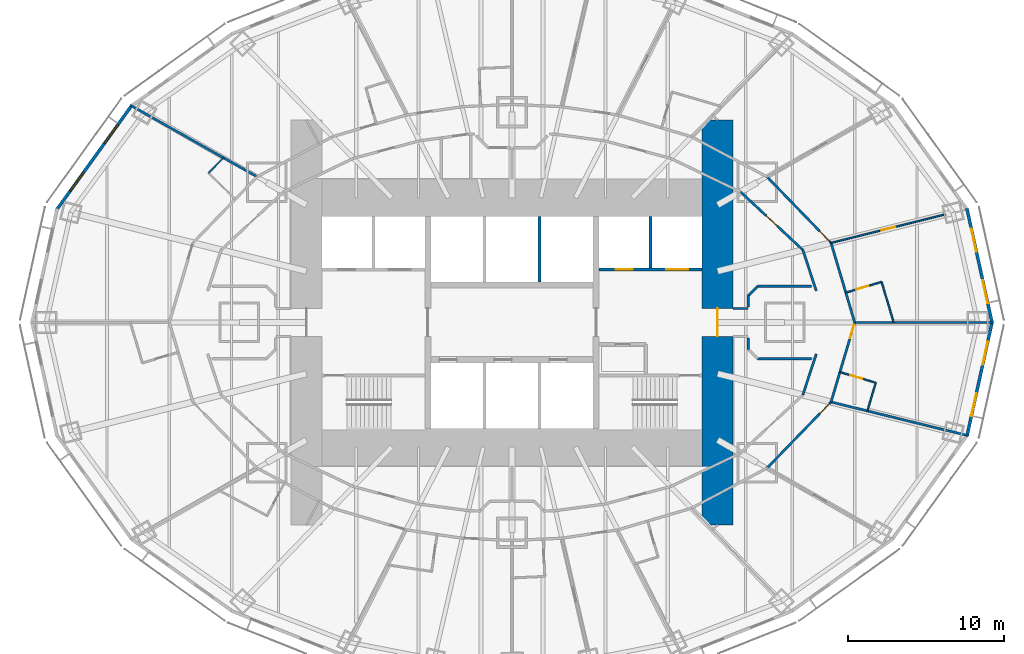
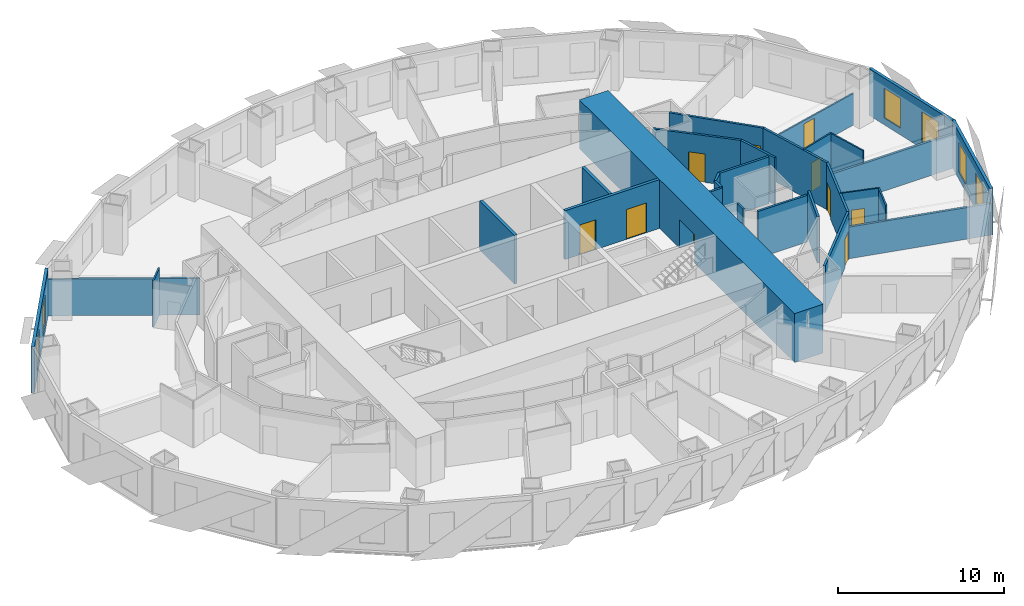
# One storey, part 8 of 15: 29 walls, 10 doors, 6 windows, 16 openings.
"""IFC4 building model written with IfcOpenShell, lengths in metres."""

from ifc_helpers import new_model, si_unit, direction, frame, frame_2d, origin, place, context, subcontext, project, spatial, rectangle, extrude, material, layer, layer_set, type_object, element, fill, save


model = new_model("IFC4")

# Units and contexts
model_context = context("Model", 3, precision=1e-05, world=origin(), true_north=direction((0.0, 1.0)))
body_context = subcontext(model_context, "Body", "Model", "MODEL_VIEW")
ifc_project = project(units=[si_unit("LENGTHUNIT", "METRE"), si_unit("AREAUNIT", "SQUARE_METRE"), si_unit("VOLUMEUNIT", "CUBIC_METRE"), si_unit("PLANEANGLEUNIT", "RADIAN"), si_unit("MASSUNIT", "GRAM", prefix="KILO")], contexts=[model_context])

# Site, building, storey
site_placement = place(None, origin())
site = spatial("IfcSite", under=ifc_project, at=site_placement, CompositionType="ELEMENT")
building_placement = place(site_placement, origin())
building = spatial("IfcBuilding", under=site, at=building_placement, Name="Lantaw Convention Tower", CompositionType="ELEMENT")
storey_placement = place(building_placement, frame((0.0, 0.0, 80.199951171875)))
storey = spatial("IfcBuildingStorey", under=building, at=storey_placement, Name="L18", CompositionType="ELEMENT", Elevation=80.199951171875)

# Wall, opening, door
ifc_material_1 = material(Name="Moisture resistant gypsum board on steel studs", Category="steel")
ifc_layer_1 = layer(ifc_material_1, 0.10009765625)
ifc_layer_set_1 = layer_set([ifc_layer_1], Name="Bathroom wall 100")
wall_type_1 = type_object("IfcWallType", Name="Bathroom wall 100", PredefinedType="PARTITIONING", material=ifc_layer_set_1)
wall_1_placement = place(storey_placement, frame((21.430908203125, 1.917236328125, 0.0), z_axis=(0.0, 0.0, 1.0), x_axis=(0.958639927723, 0.284621659356, 0.0)))
wall_1 = element("IfcWall", 1, at=wall_1_placement, inside=storey, type_object=wall_type_1, Name="Bathroom wall 100", PredefinedType="PARTITIONING", context=body_context, shape_type="SweptSolid", body=[
    extrude(rectangle(XDim=2.400146484375, YDim=0.10009765625, at=frame_2d((1.2001953125, 0.0))), origin(), (0.0, 0.0, 1.0), 3.449951171875),
])
opening_1_placement = place(wall_1_placement, frame((0.699951171875, 0.0, 0.0)))
opening_1 = element("IfcOpeningElement", 2, at=opening_1_placement, cuts=wall_1, Name="Opening L18.25", PredefinedType="OPENING", context=body_context, shape_type="SweptSolid", body=[
    extrude(rectangle(XDim=0.800048828125, YDim=2.10009765625, at=frame_2d((0.39990234375, 1.050048828125))), frame((0.0, 0.06005859375, 0.0), z_axis=(0.0, -1.0, 0.0), x_axis=(1.0, 0.0, 0.0)), (0.0, 0.0, 1.0), 0.1201171875),
])
ifc_material_2 = material(Name="Timber", Category="wood")
door_type_1 = type_object("IfcDoorType", Name="Bathroom door 800", OperationType="SINGLE_SWING_LEFT", PredefinedType="DOOR", material=ifc_material_2)
door_1_placement = place(opening_1_placement, origin())
door_1 = element("IfcDoor", 3, at=door_1_placement, inside=storey, type_object=door_type_1, Name="Bathroom door", OperationType="SINGLE_SWING_LEFT", OverallHeight=2.10009765625, OverallWidth=0.800048828125, PredefinedType="DOOR", context=body_context, shape_type="SweptSolid", body=[
    extrude(rectangle(XDim=0.800048828125, YDim=2.10009765625, at=frame_2d((0.39990234375, 1.050048828125))), frame((0.0, 0.02490234375, 0.0), z_axis=(0.0, -1.0, 0.0), x_axis=(1.0, 0.0, 0.0)), (0.0, 0.0, 1.0), 0.050048828125),
])
fill(opening_1, door_1)

# Walls
wall_2_placement = place(storey_placement, frame((23.731689453125, 2.600341796875, 0.0), z_axis=(0.0, 0.0, 1.0), x_axis=(0.284514277473, -0.958671803025, 0.0)))
element("IfcWall", 4, at=wall_2_placement, inside=storey, type_object=wall_type_1, Name="Bathroom wall 100", PredefinedType="PARTITIONING", context=body_context, shape_type="SweptSolid", body=[
    extrude(rectangle(XDim=2.71240234375, YDim=0.10009765625, at=frame_2d((1.356201171875, 0.0))), origin(), (0.0, 0.0, 1.0), 3.449951171875),
])
wall_3_placement = place(storey_placement, frame((-19.484375, 9.587646484375, 0.0), z_axis=(0.0, 0.0, 1.0), x_axis=(0.695920174922, 0.718119147591, 0.0)))
element("IfcWall", 5, at=wall_3_placement, inside=storey, type_object=wall_type_1, Name="Bathroom wall 100", PredefinedType="PARTITIONING", context=body_context, shape_type="SweptSolid", body=[
    extrude(rectangle(XDim=1.3857421875, YDim=0.10009765625, at=frame_2d((0.69287109375, 0.0))), origin(), (0.0, 0.0, 1.0), 3.449951171875),
])

# Wall, opening, door
wall_4_placement = place(storey_placement, frame((21.052978515625, -3.18994140625, 0.0), z_axis=(0.0, 0.0, 1.0), x_axis=(0.958667679126, -0.284528172593, 0.0)))
wall_4 = element("IfcWall", 6, at=wall_4_placement, inside=storey, type_object=wall_type_1, Name="Bathroom wall 100", PredefinedType="PARTITIONING", context=body_context, shape_type="SweptSolid", body=[
    extrude(rectangle(XDim=2.39990234375, YDim=0.10009765625, at=frame_2d((1.199951171875, 0.0))), origin(), (0.0, 0.0, 1.0), 3.449951171875),
])
opening_2_placement = place(wall_4_placement, frame((0.699951171875, 0.0, 0.0)))
opening_2 = element("IfcOpeningElement", 7, at=opening_2_placement, cuts=wall_4, Name="Opening L18.52", PredefinedType="OPENING", context=body_context, shape_type="SweptSolid", body=[
    extrude(rectangle(XDim=0.800048828125, YDim=2.10009765625, at=frame_2d((0.39990234375, 1.050048828125))), frame((0.0, 0.06005859375, 0.0), z_axis=(0.0, -1.0, 0.0), x_axis=(1.0, 0.0, 0.0)), (0.0, 0.0, 1.0), 0.1201171875),
])
door_2_placement = place(opening_2_placement, origin())
door_2 = element("IfcDoor", 8, at=door_2_placement, inside=storey, type_object=door_type_1, Name="Bathroom door", OperationType="SINGLE_SWING_LEFT", OverallHeight=2.10009765625, OverallWidth=0.800048828125, PredefinedType="DOOR", context=body_context, shape_type="SweptSolid", body=[
    extrude(rectangle(XDim=0.800048828125, YDim=2.10009765625, at=frame_2d((0.39990234375, 1.050048828125))), frame((0.0, 0.02490234375, 0.0), z_axis=(0.0, -1.0, 0.0), x_axis=(1.0, 0.0, 0.0)), (0.0, 0.0, 1.0), 0.050048828125),
])
fill(opening_2, door_2)

# Wall
wall_5_placement = place(storey_placement, frame((23.353759765625, -3.872802734375, 0.0), z_axis=(0.0, 0.0, 1.0), x_axis=(-0.284496480535, -0.958677084613, 0.0)))
element("IfcWall", 9, at=wall_5_placement, inside=storey, type_object=wall_type_1, Name="Bathroom wall 100", PredefinedType="PARTITIONING", context=body_context, shape_type="SweptSolid", body=[
    extrude(rectangle(XDim=1.89404296875, YDim=0.10009765625, at=frame_2d((0.947021484375, 0.0))), origin(), (0.0, 0.0, 1.0), 3.449951171875),
])

# Wall, opening, door
ifc_material_3 = material(Name="Concrete C60/75", Category="concrete")
ifc_layer_2 = layer(ifc_material_3, 2.0)
ifc_layer_set_2 = layer_set([ifc_layer_2], Name="Core wall 2000")
wall_type_2 = type_object("IfcWallType", Name="Core wall 2000", PredefinedType="SHEAR", material=ifc_layer_set_2)
wall_6_placement = place(storey_placement, frame((13.199951171875, -13.0, 0.0), z_axis=(0.0, 0.0, 1.0), x_axis=(0.0, 1.0, 0.0)))
wall_6 = element("IfcWall", 10, at=wall_6_placement, inside=storey, type_object=wall_type_2, Name="Core wall E", PredefinedType="SHEAR", context=body_context, shape_type="SweptSolid", body=[
    extrude(rectangle(XDim=26.0, YDim=2.0, at=frame_2d((13.0, 0.0))), origin(), (0.0, 0.0, 1.0), 3.60009765625),
])
opening_3_placement = place(wall_6_placement, frame((12.10009765625, 0.0, 0.0)))
opening_3 = element("IfcOpeningElement", 11, at=opening_3_placement, cuts=wall_6, Name="Opening L18.06", PredefinedType="OPENING", context=body_context, shape_type="SweptSolid", body=[
    extrude(rectangle(XDim=1.800048828125, YDim=2.10009765625, at=frame_2d((0.89990234375, 1.050048828125))), frame((0.0, 1.010009765625, 0.0), z_axis=(0.0, -1.0, 0.0), x_axis=(1.0, 0.0, 0.0)), (0.0, 0.0, 1.0), 2.02001953125),
])
ifc_material_4 = material(Name="Steel, fire rated", Category="steel")
door_type_2 = type_object("IfcDoorType", Name="Lobby double door FD90", OperationType="DOUBLE_DOOR_DOUBLE_SWING", PredefinedType="DOOR", material=ifc_material_4)
door_3_placement = place(opening_3_placement, origin())
door_3 = element("IfcDoor", 12, at=door_3_placement, inside=storey, type_object=door_type_2, Name="Firefighting lobby door", OperationType="DOUBLE_DOOR_DOUBLE_SWING", OverallHeight=2.10009765625, OverallWidth=1.800048828125, PredefinedType="DOOR", context=body_context, shape_type="SweptSolid", body=[
    extrude(rectangle(XDim=1.800048828125, YDim=2.10009765625, at=frame_2d((0.89990234375, 1.050048828125))), frame((0.0, 0.02490234375, 0.0), z_axis=(0.0, -1.0, 0.0), x_axis=(1.0, 0.0, 0.0)), (0.0, 0.0, 1.0), 0.050048828125),
])
fill(opening_3, door_3)

# Wall
ifc_material_5 = material(Name="Gypsum board on steel studs, fire rated", Category="steel")
ifc_layer_3 = layer(ifc_material_5, 0.14990234375)
ifc_layer_set_3 = layer_set([ifc_layer_3], Name="Corridor wall 150 EI 60")
wall_type_3 = type_object("IfcWallType", Name="Corridor wall 150 EI 60", PredefinedType="PARTITIONING", material=ifc_layer_set_3)
wall_7_placement = place(storey_placement, frame((22.0, 0.0, 0.0), z_axis=(0.0, 0.0, 1.0), x_axis=(-0.284584469409, 0.95865096869, 0.0)))
element("IfcWall", 13, at=wall_7_placement, inside=storey, type_object=wall_type_3, Name="Corridor wall 150", PredefinedType="PARTITIONING", context=body_context, shape_type="SweptSolid", body=[
    extrude(rectangle(XDim=5.327392578125, YDim=0.14990234375, at=frame_2d((2.66357421875, 0.0))), origin(), (0.0, 0.0, 1.0), 3.449951171875),
])

# Wall, opening, door
wall_8_placement = place(storey_placement, frame((20.48388671875, 5.107177734375, 0.0), z_axis=(0.0, 0.0, 1.0), x_axis=(-0.695871090686, 0.71816671125, 0.0)))
wall_8 = element("IfcWall", 14, at=wall_8_placement, inside=storey, type_object=wall_type_3, Name="Corridor wall 150", PredefinedType="PARTITIONING", context=body_context, shape_type="SweptSolid", body=[
    extrude(rectangle(XDim=5.9130859375, YDim=0.14990234375, at=frame_2d((2.95654296875, 0.0))), origin(), (0.0, 0.0, 1.0), 3.449951171875),
])
opening_4_placement = place(wall_8_placement, frame((0.14990234375, 0.0, 0.0)))
opening_4 = element("IfcOpeningElement", 15, at=opening_4_placement, cuts=wall_8, Name="Opening L18.28", PredefinedType="OPENING", context=body_context, shape_type="SweptSolid", body=[
    extrude(rectangle(XDim=0.89990234375, YDim=2.10009765625, at=frame_2d((0.449951171875, 1.050048828125))), frame((0.0, 0.0849609375, 0.0), z_axis=(0.0, -1.0, 0.0), x_axis=(1.0, 0.0, 0.0)), (0.0, 0.0, 1.0), 0.169921875),
])
door_type_3 = type_object("IfcDoorType", Name="Guest room entrance door FD30S", OperationType="SINGLE_SWING_LEFT", PredefinedType="DOOR", material=ifc_material_4)
door_4_placement = place(opening_4_placement, origin())
door_4 = element("IfcDoor", 16, at=door_4_placement, inside=storey, type_object=door_type_3, Name="Suite entrance door", OperationType="SINGLE_SWING_LEFT", OverallHeight=2.10009765625, OverallWidth=0.89990234375, PredefinedType="DOOR", context=body_context, shape_type="SweptSolid", body=[
    extrude(rectangle(XDim=0.89990234375, YDim=2.10009765625, at=frame_2d((0.449951171875, 1.050048828125))), frame((0.0, 0.02490234375, 0.0), z_axis=(0.0, -1.0, 0.0), x_axis=(1.0, 0.0, 0.0)), (0.0, 0.0, 1.0), 0.050048828125),
])
fill(opening_4, door_4)

wall_9_placement = place(storey_placement, frame((16.369140625, -9.353759765625, 0.0), z_axis=(0.0, 0.0, 1.0), x_axis=(0.695871090686, 0.71816671125, 0.0)))
wall_9 = element("IfcWall", 17, at=wall_9_placement, inside=storey, type_object=wall_type_3, Name="Corridor wall 150", PredefinedType="PARTITIONING", context=body_context, shape_type="SweptSolid", body=[
    extrude(rectangle(XDim=5.9130859375, YDim=0.14990234375, at=frame_2d((2.95654296875, 0.0))), origin(), (0.0, 0.0, 1.0), 3.449951171875),
])
opening_5_placement = place(wall_9_placement, frame((4.863037109375, 0.0, 0.0)))
opening_5 = element("IfcOpeningElement", 18, at=opening_5_placement, cuts=wall_9, Name="Opening L18.51", PredefinedType="OPENING", context=body_context, shape_type="SweptSolid", body=[
    extrude(rectangle(XDim=0.89990234375, YDim=2.10009765625, at=frame_2d((0.449951171875, 1.050048828125))), frame((0.0, 0.0849609375, 0.0), z_axis=(0.0, -1.0, 0.0), x_axis=(1.0, 0.0, 0.0)), (0.0, 0.0, 1.0), 0.169921875),
])
door_5_placement = place(opening_5_placement, origin())
door_5 = element("IfcDoor", 19, at=door_5_placement, inside=storey, type_object=door_type_3, Name="Suite entrance door", OperationType="SINGLE_SWING_LEFT", OverallHeight=2.10009765625, OverallWidth=0.89990234375, PredefinedType="DOOR", context=body_context, shape_type="SweptSolid", body=[
    extrude(rectangle(XDim=0.89990234375, YDim=2.10009765625, at=frame_2d((0.449951171875, 1.050048828125))), frame((0.0, 0.02490234375, 0.0), z_axis=(0.0, -1.0, 0.0), x_axis=(1.0, 0.0, 0.0)), (0.0, 0.0, 1.0), 0.050048828125),
])
fill(opening_5, door_5)

wall_10_placement = place(storey_placement, frame((20.48388671875, -5.107177734375, 0.0), z_axis=(0.0, 0.0, 1.0), x_axis=(0.284584469409, 0.95865096869, 0.0)))
wall_10 = element("IfcWall", 20, at=wall_10_placement, inside=storey, type_object=wall_type_3, Name="Corridor wall 150", PredefinedType="PARTITIONING", context=body_context, shape_type="SweptSolid", body=[
    extrude(rectangle(XDim=5.327392578125, YDim=0.14990234375, at=frame_2d((2.66357421875, 0.0))), origin(), (0.0, 0.0, 1.0), 3.449951171875),
])
opening_6_placement = place(wall_10_placement, frame((4.277587890625, 0.0, 0.0)))
opening_6 = element("IfcOpeningElement", 21, at=opening_6_placement, cuts=wall_10, Name="Opening L18.53", PredefinedType="OPENING", context=body_context, shape_type="SweptSolid", body=[
    extrude(rectangle(XDim=0.89990234375, YDim=2.10009765625, at=frame_2d((0.449951171875, 1.050048828125))), frame((0.0, 0.0849609375, 0.0), z_axis=(0.0, -1.0, 0.0), x_axis=(1.0, 0.0, 0.0)), (0.0, 0.0, 1.0), 0.169921875),
])
door_6_placement = place(opening_6_placement, origin())
door_6 = element("IfcDoor", 22, at=door_6_placement, inside=storey, type_object=door_type_3, Name="Guest room entrance door", OperationType="SINGLE_SWING_LEFT", OverallHeight=2.10009765625, OverallWidth=0.89990234375, PredefinedType="DOOR", context=body_context, shape_type="SweptSolid", body=[
    extrude(rectangle(XDim=0.89990234375, YDim=2.10009765625, at=frame_2d((0.449951171875, 1.050048828125))), frame((0.0, 0.02490234375, 0.0), z_axis=(0.0, -1.0, 0.0), x_axis=(1.0, 0.0, 0.0)), (0.0, 0.0, 1.0), 0.050048828125),
])
fill(opening_6, door_6)

wall_11_placement = place(storey_placement, frame((18.671630859375, 4.6552734375, 0.0), z_axis=(0.0, 0.0, 1.0), x_axis=(-0.731260145007, 0.682098673452, 0.0)))
wall_11 = element("IfcWall", 23, at=wall_11_placement, inside=storey, type_object=wall_type_3, Name="Corridor wall 150", PredefinedType="PARTITIONING", context=body_context, shape_type="SweptSolid", body=[
    extrude(rectangle(XDim=5.4677734375, YDim=0.14990234375, at=frame_2d((2.73388671875, 0.0))), origin(), (0.0, 0.0, 1.0), 3.449951171875),
])
opening_7_placement = place(wall_11_placement, frame((2.23388671875, 0.0, 0.0)))
opening_7 = element("IfcOpeningElement", 24, at=opening_7_placement, cuts=wall_11, Name="Opening L18.15", PredefinedType="OPENING", context=body_context, shape_type="SweptSolid", body=[
    extrude(rectangle(XDim=1.0, YDim=2.10009765625, at=frame_2d((0.5, 1.050048828125))), frame((0.0, 0.0849609375, 0.0), z_axis=(0.0, -1.0, 0.0), x_axis=(1.0, 0.0, 0.0)), (0.0, 0.0, 1.0), 0.169921875),
])
door_type_4 = type_object("IfcDoorType", Name="Service door 1000 FD30", OperationType="SINGLE_SWING_LEFT", PredefinedType="DOOR", material=ifc_material_4)
door_7_placement = place(opening_7_placement, origin())
door_7 = element("IfcDoor", 25, at=door_7_placement, inside=storey, type_object=door_type_4, Name="Linen store door", OperationType="SINGLE_SWING_LEFT", OverallHeight=2.10009765625, OverallWidth=1.0, PredefinedType="DOOR", context=body_context, shape_type="SweptSolid", body=[
    extrude(rectangle(XDim=1.0, YDim=2.10009765625, at=frame_2d((0.5, 1.050048828125))), frame((0.0, 0.02490234375, 0.0), z_axis=(0.0, -1.0, 0.0), x_axis=(1.0, 0.0, 0.0)), (0.0, 0.0, 1.0), 0.050048828125),
])
fill(opening_7, door_7)

# Walls
for number, where, z_axis, x_axis, name in (
    (26, (19.533447265625, 2.0302734375, 0.0), (0.0, 0.0, 1.0), (-0.311929965981, 0.950105097515, 0.0), "Corridor wall 150"),
    (27, (18.671630859375, -4.6552734375, 0.0), (0.0, 0.0, 1.0), (0.311929965981, 0.950105097515, 0.0), "Corridor wall 150"),
):
    element("IfcWall", number, at=place(storey_placement, frame(where, z_axis=z_axis, x_axis=x_axis)), inside=storey, type_object=wall_type_3, Name=name, PredefinedType="PARTITIONING", context=body_context, shape_type="SweptSolid", body=[
        extrude(rectangle(XDim=2.762939453125, YDim=0.14990234375, at=frame_2d((1.38134765625, 0.0))), origin(), (0.0, 0.0, 1.0), 3.449951171875),
    ])
wall_12_placement = place(storey_placement, frame((14.199951171875, 0.89990234375, 0.0), z_axis=(0.0, 0.0, 1.0), x_axis=(1.0, 0.0, 0.0)))
element("IfcWall", 28, at=wall_12_placement, inside=storey, type_object=wall_type_3, Name="Corridor wall 150", PredefinedType="PARTITIONING", context=body_context, shape_type="SweptSolid", body=[
    extrude(rectangle(XDim=0.965087890625, YDim=0.14990234375, at=frame_2d((0.482421875, 0.0))), origin(), (0.0, 0.0, 1.0), 3.449951171875),
])
wall_13_placement = place(storey_placement, frame((15.175048828125, 1.003173828125, 0.0), z_axis=(0.0, 0.0, 1.0), x_axis=(0.0, 1.0, 0.0)))
element("IfcWall", 29, at=wall_13_placement, inside=storey, type_object=wall_type_3, Name="Corridor wall 150", PredefinedType="PARTITIONING", context=body_context, shape_type="SweptSolid", body=[
    extrude(rectangle(XDim=0.721435546875, YDim=0.14990234375, at=frame_2d((0.36083984375, 0.0))), origin(), (0.0, 0.0, 1.0), 3.449951171875),
])
wall_14_placement = place(storey_placement, frame((15.175048828125, 1.724609375, 0.0), z_axis=(0.0, 0.0, 1.0), x_axis=(0.707106781187, 0.707106781187, 0.0)))
element("IfcWall", 30, at=wall_14_placement, inside=storey, type_object=wall_type_3, Name="Corridor wall 150", PredefinedType="PARTITIONING", context=body_context, shape_type="SweptSolid", body=[
    extrude(rectangle(XDim=0.84912109375, YDim=0.14990234375, at=frame_2d((0.424560546875, 0.0))), origin(), (0.0, 0.0, 1.0), 3.449951171875),
])
for number, where, z_axis, x_axis, name in (
    (31, (15.775390625, 2.324951171875, 0.0), (0.0, 0.0, 1.0), (1.0, 0.0, 0.0), "Corridor wall 150"),
    (32, (19.224609375, -2.324951171875, 0.0), (0.0, 0.0, 1.0), (-1.0, 0.0, 0.0), "Corridor wall 150"),
):
    element("IfcWall", number, at=place(storey_placement, frame(where, z_axis=z_axis, x_axis=x_axis)), inside=storey, type_object=wall_type_3, Name=name, PredefinedType="PARTITIONING", context=body_context, shape_type="SweptSolid", body=[
        extrude(rectangle(XDim=3.44921875, YDim=0.14990234375, at=frame_2d((1.724609375, 0.0))), origin(), (0.0, 0.0, 1.0), 3.449951171875),
    ])
wall_15_placement = place(storey_placement, frame((15.175048828125, -1.724609375, 0.0), z_axis=(0.0, 0.0, 1.0), x_axis=(0.0, 1.0, 0.0)))
element("IfcWall", 33, at=wall_15_placement, inside=storey, type_object=wall_type_3, Name="Corridor wall 150", PredefinedType="PARTITIONING", context=body_context, shape_type="SweptSolid", body=[
    extrude(rectangle(XDim=0.721435546875, YDim=0.14990234375, at=frame_2d((0.36083984375, 0.0))), origin(), (0.0, 0.0, 1.0), 3.449951171875),
])

# Wall, openings, windows
ifc_material_6 = material(Name="Insulated aluminium panel on steel frame", Category="steel")
ifc_layer_4 = layer(ifc_material_6, 0.199951171875)
ifc_layer_set_4 = layer_set([ifc_layer_4], Name="External wall 200")
wall_type_4 = type_object("IfcWallType", Name="External wall 200", PredefinedType="SOLIDWALL", material=ifc_layer_set_4)
wall_16_placement = place(storey_placement, frame((30.83544921875, -0.06689453125, 0.0), z_axis=(0.0, 0.0, 1.0), x_axis=(-0.215238065514, 0.976561608478, 0.0)))
wall_16 = element("IfcWall", 34, at=wall_16_placement, inside=storey, type_object=wall_type_4, Name="Facade panel wall", PredefinedType="SOLIDWALL", context=body_context, shape_type="SweptSolid", body=[
    extrude(rectangle(XDim=7.562255859375, YDim=0.199951171875, at=frame_2d((3.78125, 0.0))), origin(), (0.0, 0.0, 1.0), 3.449951171875),
])
opening_8_placement = place(wall_16_placement, frame((1.340576171875, 0.0, 0.5)))
opening_8 = element("IfcOpeningElement", 35, at=opening_8_placement, cuts=wall_16, Name="Opening W2", PredefinedType="OPENING", context=body_context, shape_type="SweptSolid", body=[
    extrude(rectangle(XDim=1.5, YDim=2.199951171875, at=frame_2d((0.75, 1.10009765625))), frame((0.0, 0.10986328125, 0.0), z_axis=(0.0, -1.0, 0.0), x_axis=(1.0, 0.0, 0.0)), (0.0, 0.0, 1.0), 0.219970703125),
])
opening_9_placement = place(wall_16_placement, frame((4.7216796875, 0.0, 0.5)))
opening_9 = element("IfcOpeningElement", 36, at=opening_9_placement, cuts=wall_16, Name="Opening W2", PredefinedType="OPENING", context=body_context, shape_type="SweptSolid", body=[
    extrude(rectangle(XDim=1.5, YDim=2.199951171875, at=frame_2d((0.75, 1.10009765625))), frame((0.0, 0.10986328125, 0.0), z_axis=(0.0, -1.0, 0.0), x_axis=(1.0, 0.0, 0.0)), (0.0, 0.0, 1.0), 0.219970703125),
])
ifc_material_7 = material(Name="Aluminium frame, clear insulating glass", Category="aluminium")
window_type = type_object("IfcWindowType", Name="Suite window 1500x2200", PartitioningType="SINGLE_PANEL", PredefinedType="WINDOW", material=ifc_material_7)
window_1_placement = place(opening_8_placement, origin())
window_1 = element("IfcWindow", 37, at=window_1_placement, inside=storey, type_object=window_type, Name="Guest room window", OverallHeight=2.199951171875, OverallWidth=1.5, PartitioningType="SINGLE_PANEL", PredefinedType="WINDOW", context=body_context, shape_type="SweptSolid", body=[
    extrude(rectangle(XDim=1.5, YDim=2.199951171875, at=frame_2d((0.75, 1.10009765625))), frame((0.0, 0.030029296875, 0.0), z_axis=(0.0, -1.0, 0.0), x_axis=(1.0, 0.0, 0.0)), (0.0, 0.0, 1.0), 0.06005859375),
])
fill(opening_8, window_1)
window_2_placement = place(opening_9_placement, origin())
window_2 = element("IfcWindow", 38, at=window_2_placement, inside=storey, type_object=window_type, Name="Guest room window", OverallHeight=2.199951171875, OverallWidth=1.5, PartitioningType="SINGLE_PANEL", PredefinedType="WINDOW", context=body_context, shape_type="SweptSolid", body=[
    extrude(rectangle(XDim=1.5, YDim=2.199951171875, at=frame_2d((0.75, 1.10009765625))), frame((0.0, 0.030029296875, 0.0), z_axis=(0.0, -1.0, 0.0), x_axis=(1.0, 0.0, 0.0)), (0.0, 0.0, 1.0), 0.06005859375),
])
fill(opening_9, window_2)

wall_17_placement = place(storey_placement, frame((-24.400390625, 13.95654296875, 0.0), z_axis=(0.0, 0.0, 1.0), x_axis=(-0.583937613703, -0.811798536155, 0.0)))
wall_17 = element("IfcWall", 39, at=wall_17_placement, inside=storey, type_object=wall_type_4, Name="Facade panel wall", PredefinedType="SOLIDWALL", context=body_context, shape_type="SweptSolid", body=[
    extrude(rectangle(XDim=8.322998046875, YDim=0.199951171875, at=frame_2d((4.16162109375, 0.0))), origin(), (0.0, 0.0, 1.0), 3.449951171875),
])
opening_10_placement = place(wall_17_placement, frame((1.53076171875, 0.0, 0.5)))
opening_10 = element("IfcOpeningElement", 40, at=opening_10_placement, cuts=wall_17, Name="Opening W2", PredefinedType="OPENING", context=body_context, shape_type="SweptSolid", body=[
    extrude(rectangle(XDim=1.5, YDim=2.199951171875, at=frame_2d((0.75, 1.10009765625))), frame((0.0, 0.10986328125, 0.0), z_axis=(0.0, -1.0, 0.0), x_axis=(1.0, 0.0, 0.0)), (0.0, 0.0, 1.0), 0.219970703125),
])
opening_11_placement = place(wall_17_placement, frame((5.292236328125, 0.0, 0.5)))
opening_11 = element("IfcOpeningElement", 41, at=opening_11_placement, cuts=wall_17, Name="Opening W2", PredefinedType="OPENING", context=body_context, shape_type="SweptSolid", body=[
    extrude(rectangle(XDim=1.5, YDim=2.199951171875, at=frame_2d((0.75, 1.10009765625))), frame((0.0, 0.10986328125, 0.0), z_axis=(0.0, -1.0, 0.0), x_axis=(1.0, 0.0, 0.0)), (0.0, 0.0, 1.0), 0.219970703125),
])
window_3_placement = place(opening_10_placement, origin())
window_3 = element("IfcWindow", 42, at=window_3_placement, inside=storey, type_object=window_type, Name="Guest room window", OverallHeight=2.199951171875, OverallWidth=1.5, PartitioningType="SINGLE_PANEL", PredefinedType="WINDOW", context=body_context, shape_type="SweptSolid", body=[
    extrude(rectangle(XDim=1.5, YDim=2.199951171875, at=frame_2d((0.75, 1.10009765625))), frame((0.0, 0.030029296875, 0.0), z_axis=(0.0, -1.0, 0.0), x_axis=(1.0, 0.0, 0.0)), (0.0, 0.0, 1.0), 0.06005859375),
])
fill(opening_10, window_3)
window_4_placement = place(opening_11_placement, origin())
window_4 = element("IfcWindow", 43, at=window_4_placement, inside=storey, type_object=window_type, Name="Guest room window", OverallHeight=2.199951171875, OverallWidth=1.5, PartitioningType="SINGLE_PANEL", PredefinedType="WINDOW", context=body_context, shape_type="SweptSolid", body=[
    extrude(rectangle(XDim=1.5, YDim=2.199951171875, at=frame_2d((0.75, 1.10009765625))), frame((0.0, 0.030029296875, 0.0), z_axis=(0.0, -1.0, 0.0), x_axis=(1.0, 0.0, 0.0)), (0.0, 0.0, 1.0), 0.06005859375),
])
fill(opening_11, window_4)

wall_18_placement = place(storey_placement, frame((29.207763671875, -7.318115234375, 0.0), z_axis=(0.0, 0.0, 1.0), x_axis=(0.215238065514, 0.976561608478, 0.0)))
wall_18 = element("IfcWall", 44, at=wall_18_placement, inside=storey, type_object=wall_type_4, Name="Facade panel wall", PredefinedType="SOLIDWALL", context=body_context, shape_type="SweptSolid", body=[
    extrude(rectangle(XDim=7.562255859375, YDim=0.199951171875, at=frame_2d((3.78125, 0.0))), origin(), (0.0, 0.0, 1.0), 3.449951171875),
])
opening_12_placement = place(wall_18_placement, frame((1.340576171875, 0.0, 0.5)))
opening_12 = element("IfcOpeningElement", 45, at=opening_12_placement, cuts=wall_18, Name="Opening W2", PredefinedType="OPENING", context=body_context, shape_type="SweptSolid", body=[
    extrude(rectangle(XDim=1.5, YDim=2.199951171875, at=frame_2d((0.75, 1.10009765625))), frame((0.0, 0.10986328125, 0.0), z_axis=(0.0, -1.0, 0.0), x_axis=(1.0, 0.0, 0.0)), (0.0, 0.0, 1.0), 0.219970703125),
])
opening_13_placement = place(wall_18_placement, frame((4.7216796875, 0.0, 0.5)))
opening_13 = element("IfcOpeningElement", 46, at=opening_13_placement, cuts=wall_18, Name="Opening W2", PredefinedType="OPENING", context=body_context, shape_type="SweptSolid", body=[
    extrude(rectangle(XDim=1.5, YDim=2.199951171875, at=frame_2d((0.75, 1.10009765625))), frame((0.0, 0.10986328125, 0.0), z_axis=(0.0, -1.0, 0.0), x_axis=(1.0, 0.0, 0.0)), (0.0, 0.0, 1.0), 0.219970703125),
])
window_5_placement = place(opening_12_placement, origin())
window_5 = element("IfcWindow", 47, at=window_5_placement, inside=storey, type_object=window_type, Name="Guest room window", OverallHeight=2.199951171875, OverallWidth=1.5, PartitioningType="SINGLE_PANEL", PredefinedType="WINDOW", context=body_context, shape_type="SweptSolid", body=[
    extrude(rectangle(XDim=1.5, YDim=2.199951171875, at=frame_2d((0.75, 1.10009765625))), frame((0.0, 0.030029296875, 0.0), z_axis=(0.0, -1.0, 0.0), x_axis=(1.0, 0.0, 0.0)), (0.0, 0.0, 1.0), 0.06005859375),
])
fill(opening_12, window_5)
window_6_placement = place(opening_13_placement, origin())
window_6 = element("IfcWindow", 48, at=window_6_placement, inside=storey, type_object=window_type, Name="Guest room window", OverallHeight=2.199951171875, OverallWidth=1.5, PartitioningType="SINGLE_PANEL", PredefinedType="WINDOW", context=body_context, shape_type="SweptSolid", body=[
    extrude(rectangle(XDim=1.5, YDim=2.199951171875, at=frame_2d((0.75, 1.10009765625))), frame((0.0, 0.030029296875, 0.0), z_axis=(0.0, -1.0, 0.0), x_axis=(1.0, 0.0, 0.0)), (0.0, 0.0, 1.0), 0.06005859375),
])
fill(opening_13, window_6)

# Walls
ifc_material_8 = material(Name="Gypsum board on steel studs, acoustic", Category="steel")
ifc_layer_5 = layer(ifc_material_8, 0.14990234375)
ifc_layer_set_5 = layer_set([ifc_layer_5], Name="Guest room party wall 150")
wall_type_5 = type_object("IfcWallType", Name="Guest room party wall 150", PredefinedType="PARTITIONING", material=ifc_layer_set_5)
wall_19_placement = place(storey_placement, frame((30.82080078125, 0.0, 0.0), z_axis=(0.0, 0.0, 1.0), x_axis=(-1.0, 0.0, 0.0)))
element("IfcWall", 49, at=wall_19_placement, inside=storey, type_object=wall_type_5, Name="Guest room party wall 150", PredefinedType="PARTITIONING", context=body_context, shape_type="SweptSolid", body=[
    extrude(rectangle(XDim=8.82080078125, YDim=0.14990234375, at=frame_2d((4.410400390625, 0.0))), origin(), (0.0, 0.0, 1.0), 2.528076171875),
])
wall_20_placement = place(storey_placement, frame((-24.434814453125, 13.90869140625, 0.0), z_axis=(0.0, 0.0, 1.0), x_axis=(0.870744406136, -0.491735883563, 0.0)))
element("IfcWall", 50, at=wall_20_placement, inside=storey, type_object=wall_type_5, Name="Guest room party wall 150", PredefinedType="PARTITIONING", context=body_context, shape_type="SweptSolid", body=[
    extrude(rectangle(XDim=9.262939453125, YDim=0.14990234375, at=frame_2d((4.63134765625, 0.0))), origin(), (0.0, 0.0, 1.0), 2.693115234375),
])
wall_21_placement = place(storey_placement, frame((29.221923828125, -7.253662109375, 0.0), z_axis=(0.0, 0.0, 1.0), x_axis=(-0.971128703136, 0.238556160989, 0.0)))
element("IfcWall", 51, at=wall_21_placement, inside=storey, type_object=wall_type_5, Name="Guest room party wall 150", PredefinedType="PARTITIONING", context=body_context, shape_type="SweptSolid", body=[
    extrude(rectangle(XDim=8.997802734375, YDim=0.14990234375, at=frame_2d((4.4990234375, 0.0))), origin(), (0.0, 0.0, 1.0), 2.33251953125),
])
ifc_material_9 = material(Name="Concrete blockwork, fire rated", Category="masonry")
ifc_layer_6 = layer(ifc_material_9, 0.199951171875)
ifc_layer_set_6 = layer_set([ifc_layer_6], Name="Shaft wall 200")
wall_type_6 = type_object("IfcWallType", Name="Shaft wall 200", PredefinedType="SOLIDWALL", material=ifc_layer_set_6)
wall_22_placement = place(storey_placement, frame((1.7666015625, 2.60009765625, 0.0), z_axis=(0.0, 0.0, 1.0), x_axis=(0.0, 1.0, 0.0)))
element("IfcWall", 52, at=wall_22_placement, inside=storey, type_object=wall_type_6, Name="Shaft wall DN2", PredefinedType="SOLIDWALL", context=body_context, shape_type="SweptSolid", body=[
    extrude(rectangle(XDim=4.199951171875, YDim=0.199951171875, at=frame_2d((2.10009765625, 0.0))), origin(), (0.0, 0.0, 1.0), 3.60009765625),
])

# Wall, openings, doors
wall_23_placement = place(storey_placement, frame((12.199951171875, 3.39990234375, 0.0), z_axis=(0.0, 0.0, 1.0), x_axis=(-1.0, 0.0, 0.0)))
wall_23 = element("IfcWall", 53, at=wall_23_placement, inside=storey, type_object=wall_type_6, Name="Shaft wall EN", PredefinedType="SOLIDWALL", context=body_context, shape_type="SweptSolid", body=[
    extrude(rectangle(XDim=6.599853515625, YDim=0.199951171875, at=frame_2d((3.2998046875, 0.0))), origin(), (0.0, 0.0, 1.0), 3.60009765625),
])
opening_14_placement = place(wall_23_placement, frame((4.449951171875, 0.0, 0.0)))
opening_14 = element("IfcOpeningElement", 54, at=opening_14_placement, cuts=wall_23, Name="Opening L18.13", PredefinedType="OPENING", context=body_context, shape_type="SweptSolid", body=[
    extrude(rectangle(XDim=1.10009765625, YDim=2.199951171875, at=frame_2d((0.550048828125, 1.10009765625))), frame((0.0, 0.10986328125, 0.0), z_axis=(0.0, -1.0, 0.0), x_axis=(1.0, 0.0, 0.0)), (0.0, 0.0, 1.0), 0.219970703125),
])
opening_15_placement = place(wall_23_placement, frame((0.89990234375, 0.0, 0.0)))
opening_15 = element("IfcOpeningElement", 55, at=opening_15_placement, cuts=wall_23, Name="Opening L18.14", PredefinedType="OPENING", context=body_context, shape_type="SweptSolid", body=[
    extrude(rectangle(XDim=1.39990234375, YDim=2.199951171875, at=frame_2d((0.699951171875, 1.10009765625))), frame((0.0, 0.10986328125, 0.0), z_axis=(0.0, -1.0, 0.0), x_axis=(1.0, 0.0, 0.0)), (0.0, 0.0, 1.0), 0.219970703125),
])
ifc_material_10 = material(Name="Stainless steel", Category="steel")
door_type_5 = type_object("IfcDoorType", Name="Lift landing door 1100", OperationType="DOUBLE_DOOR_SLIDING", PredefinedType="DOOR", material=ifc_material_10)
door_8_placement = place(opening_14_placement, origin())
door_8 = element("IfcDoor", 56, at=door_8_placement, inside=storey, type_object=door_type_5, Name="Lift landing door FF2", OperationType="DOUBLE_DOOR_SLIDING", OverallHeight=2.199951171875, OverallWidth=1.10009765625, PredefinedType="DOOR", context=body_context, shape_type="SweptSolid", body=[
    extrude(rectangle(XDim=1.10009765625, YDim=2.199951171875, at=frame_2d((0.550048828125, 1.10009765625))), frame((0.0, 0.02490234375, 0.0), z_axis=(0.0, -1.0, 0.0), x_axis=(1.0, 0.0, 0.0)), (0.0, 0.0, 1.0), 0.050048828125),
])
fill(opening_14, door_8)
door_type_6 = type_object("IfcDoorType", Name="Lift landing door 1400", OperationType="DOUBLE_DOOR_SLIDING", PredefinedType="DOOR", material=ifc_material_10)
door_9_placement = place(opening_15_placement, origin())
door_9 = element("IfcDoor", 57, at=door_9_placement, inside=storey, type_object=door_type_6, Name="Lift landing door SV2", OperationType="DOUBLE_DOOR_SLIDING", OverallHeight=2.199951171875, OverallWidth=1.39990234375, PredefinedType="DOOR", context=body_context, shape_type="SweptSolid", body=[
    extrude(rectangle(XDim=1.39990234375, YDim=2.199951171875, at=frame_2d((0.699951171875, 1.10009765625))), frame((0.0, 0.02490234375, 0.0), z_axis=(0.0, -1.0, 0.0), x_axis=(1.0, 0.0, 0.0)), (0.0, 0.0, 1.0), 0.050048828125),
])
fill(opening_15, door_9)

# Wall
wall_24_placement = place(storey_placement, frame((8.89990234375, 3.5, 0.0), z_axis=(0.0, 0.0, 1.0), x_axis=(0.0, 1.0, 0.0)))
element("IfcWall", 58, at=wall_24_placement, inside=storey, type_object=wall_type_6, Name="Shaft wall ED", PredefinedType="SOLIDWALL", context=body_context, shape_type="SweptSolid", body=[
    extrude(rectangle(XDim=3.300048828125, YDim=0.199951171875, at=frame_2d((1.64990234375, 0.0))), origin(), (0.0, 0.0, 1.0), 3.60009765625),
])

# Wall, opening, door
ifc_material_11 = material(Name="Gypsum board on steel studs", Category="steel")
ifc_layer_7 = layer(ifc_material_11, 0.10009765625)
ifc_layer_set_7 = layer_set([ifc_layer_7], Name="Suite partition 100")
wall_type_7 = type_object("IfcWallType", Name="Suite partition 100", PredefinedType="PARTITIONING", material=ifc_layer_set_7)
wall_25_placement = place(storey_placement, frame((27.832763671875, 6.939453125, 0.0), z_axis=(0.0, 0.0, 1.0), x_axis=(-0.970295894358, -0.24192122146, 0.0)))
wall_25 = element("IfcWall", 59, at=wall_25_placement, inside=storey, type_object=wall_type_7, Name="Suite partition 100", PredefinedType="PARTITIONING", context=body_context, shape_type="SweptSolid", body=[
    extrude(rectangle(XDim=7.57373046875, YDim=0.10009765625, at=frame_2d((3.786865234375, 0.0))), origin(), (0.0, 0.0, 1.0), 2.33251953125),
])
opening_16_placement = place(wall_25_placement, frame((3.3369140625, 0.0, 0.0)))
opening_16 = element("IfcOpeningElement", 60, at=opening_16_placement, cuts=wall_25, Name="Opening L18.26", PredefinedType="OPENING", context=body_context, shape_type="SweptSolid", body=[
    extrude(rectangle(XDim=0.89990234375, YDim=2.10009765625, at=frame_2d((0.449951171875, 1.050048828125))), frame((0.0, 0.06005859375, 0.0), z_axis=(0.0, -1.0, 0.0), x_axis=(1.0, 0.0, 0.0)), (0.0, 0.0, 1.0), 0.1201171875),
])
door_type_7 = type_object("IfcDoorType", Name="Suite door 900", OperationType="SINGLE_SWING_LEFT", PredefinedType="DOOR", material=ifc_material_2)
door_10_placement = place(opening_16_placement, origin())
door_10 = element("IfcDoor", 61, at=door_10_placement, inside=storey, type_object=door_type_7, Name="Bedroom door", OperationType="SINGLE_SWING_LEFT", OverallHeight=2.10009765625, OverallWidth=0.89990234375, PredefinedType="DOOR", context=body_context, shape_type="SweptSolid", body=[
    extrude(rectangle(XDim=0.89990234375, YDim=2.10009765625, at=frame_2d((0.449951171875, 1.050048828125))), frame((0.0, 0.02490234375, 0.0), z_axis=(0.0, -1.0, 0.0), x_axis=(1.0, 0.0, 0.0)), (0.0, 0.0, 1.0), 0.050048828125),
])
fill(opening_16, door_10)

save(model, "model.ifc")
